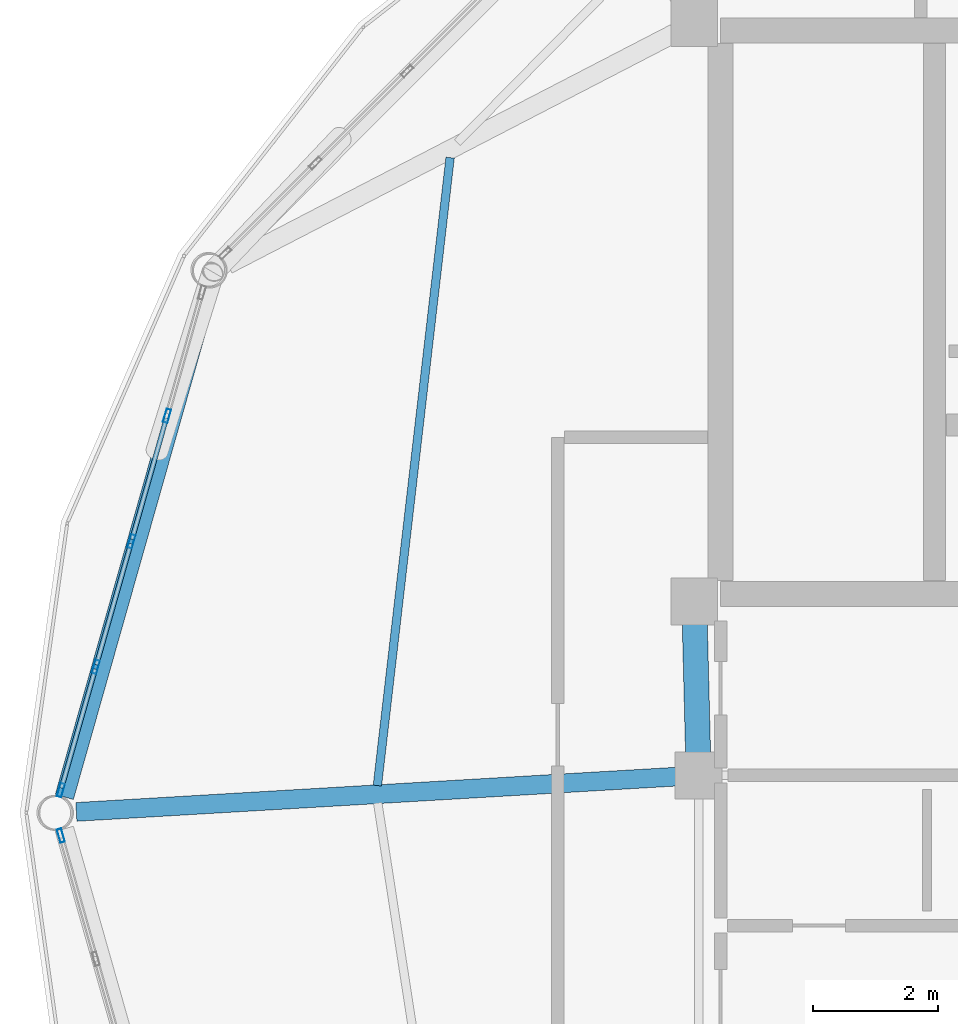
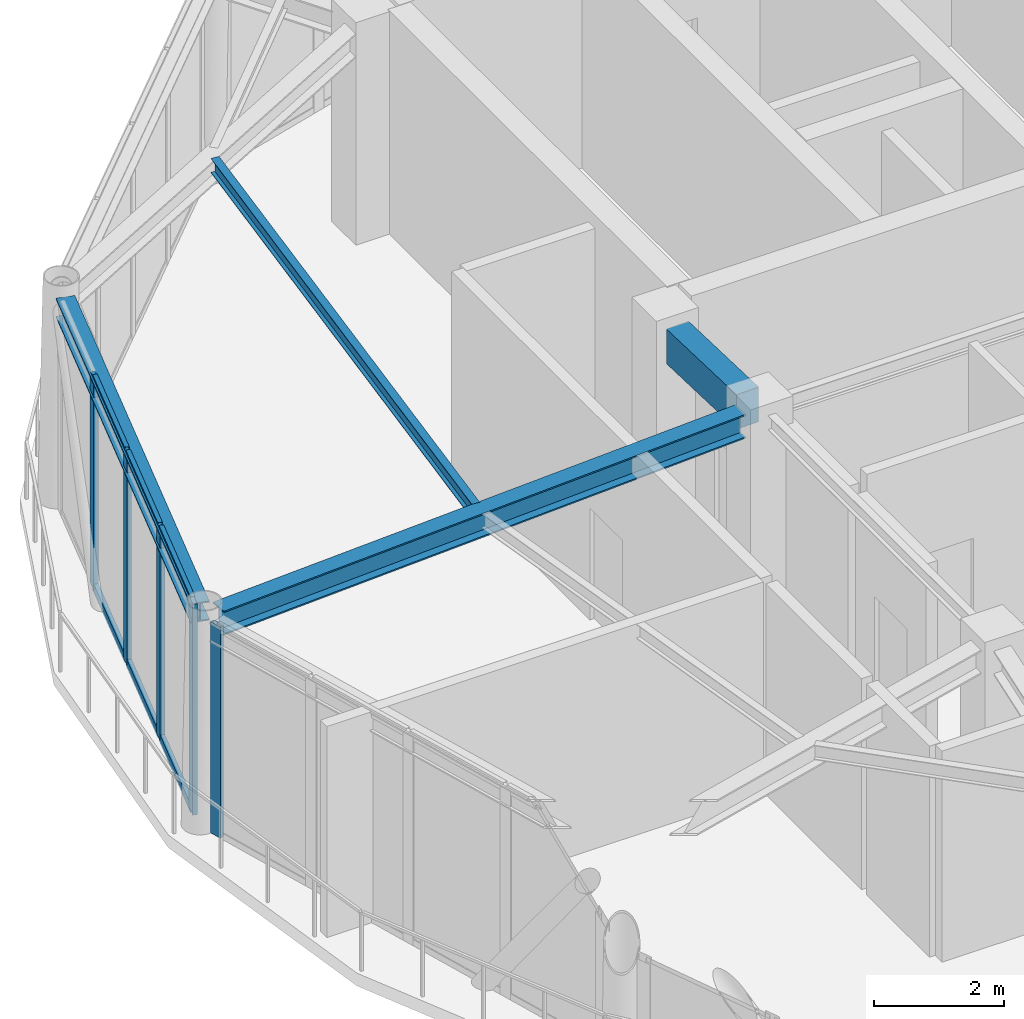
# One storey, part 7 of 20: 11 members, 4 beams, 2 elements without a shape of their own.
"""IFC4 building model written with IfcOpenShell, lengths in metres."""

from ifc_helpers import new_model, si_unit, direction, frame, origin, origin_2d, place, context, subcontext, project, spatial, rectangle, hollow_rectangle, i_section, extrude, material, layer, layer_set, material_profile, profile_set, type_object, element, aggregate, save


model = new_model("IFC4")

# Units and contexts
model_context = context("Model", 3, precision=1e-05, world=origin(), true_north=direction((0.0, 1.0)))
body_context = subcontext(model_context, "Body", "Model", "MODEL_VIEW")
ifc_project = project(units=[si_unit("LENGTHUNIT", "METRE"), si_unit("AREAUNIT", "SQUARE_METRE"), si_unit("VOLUMEUNIT", "CUBIC_METRE"), si_unit("PLANEANGLEUNIT", "RADIAN"), si_unit("MASSUNIT", "GRAM", prefix="KILO")], contexts=[model_context])

# Site, building, storey
site_placement = place(None, origin())
site = spatial("IfcSite", under=ifc_project, at=site_placement, CompositionType="ELEMENT")
building_placement = place(site_placement, origin())
building = spatial("IfcBuilding", under=site, at=building_placement, Name="Varnakorn Sky Granary", CompositionType="ELEMENT")
storey_placement = place(building_placement, frame((0.0, 0.0, 302.39990234375)))
storey = spatial("IfcBuildingStorey", under=building, at=storey_placement, Name="L77", CompositionType="ELEMENT", Elevation=302.39990234375)

# Beams
ifc_material_1 = material(Name="Concrete C50/60", Category="concrete")
ifc_material_profile_1 = material_profile(ifc_material_1, rectangle(XDim=0.39990234375, YDim=0.64990234375, at=origin_2d()), Name="RC 400x650")
ifc_profile_set_1 = profile_set([ifc_material_profile_1], Name="Concrete C50/60")
beam_type_1 = type_object("IfcBeamType", Name="BM-LIN-650", PredefinedType="LINTEL", material=ifc_profile_set_1)
beam_1_placement = place(storey_placement, frame((-2.4111328125, 3.025146484375, 3.635009765625), z_axis=(0.025227817192, -0.999681727971, 0.0), x_axis=(0.999681727971, 0.025227817192, 0.0)))
element("IfcBeam", 1, at=beam_1_placement, inside=storey, type_object=beam_type_1, Name="Core Spine Framing Beam 1 L77", PredefinedType="LINTEL", context=body_context, shape_type="SweptSolid", body=[
    extrude(rectangle(XDim=0.39990234375, YDim=0.64990234375, at=origin_2d()), origin(), (0.0, 0.0, 1.0), 2.071044921875),
])
ifc_material_2 = material(Name="Steel S355JR", Category="steel")
ifc_material_profile_2 = material_profile(ifc_material_2, i_section(OverallWidth=0.300048828125, OverallDepth=0.449951171875, WebThickness=0.013916015625, FlangeThickness=0.02587890625, at=origin_2d()), Name="HE 450 B")
ifc_profile_set_2 = profile_set([ifc_material_profile_2], Name="Steel S355JR")
beam_type_2 = type_object("IfcBeamType", Name="BM-RAD-Z5", PredefinedType="BEAM", material=ifc_profile_set_2)
beam_2_placement = place(storey_placement, frame((-2.704345703125, 0.5791015625, 3.735107421875), z_axis=(-0.998276300869, -0.058689241979, 0.0), x_axis=(0.058689241979, -0.998276300869, 0.0)))
element("IfcBeam", 2, at=beam_2_placement, inside=storey, type_object=beam_type_2, Name="Radial Floor Girder RG07 L77", PredefinedType="BEAM", context=body_context, shape_type="SweptSolid", body=[
    extrude(i_section(OverallWidth=0.300048828125, OverallDepth=0.449951171875, WebThickness=0.013916015625, FlangeThickness=0.02587890625, at=origin_2d()), origin(), (0.0, 0.0, 1.0), 9.605224609375),
])
ifc_material_profile_3 = material_profile(ifc_material_2, i_section(OverallWidth=0.135009765625, OverallDepth=0.27001953125, WebThickness=0.006591796875, FlangeThickness=0.01025390625, at=origin_2d()), Name="IPE 270")
ifc_profile_set_3 = profile_set([ifc_material_profile_3], Name="Steel S355JR")
beam_type_3 = type_object("IfcBeamType", Name="BM-SEC-Z5", PredefinedType="BEAM", material=ifc_profile_set_3)
beam_3_placement = place(storey_placement, frame((-6.3203125, 10.469970703125, 3.8251953125), z_axis=(-0.115075465892, -0.993356752204, 0.0), x_axis=(0.993356752204, -0.115075465892, 0.0)))
element("IfcBeam", 3, at=beam_3_placement, inside=storey, type_object=beam_type_3, Name="Secondary Floor Chord Beam MSB06 L77", PredefinedType="BEAM", context=body_context, shape_type="SweptSolid", body=[
    extrude(i_section(OverallWidth=0.135009765625, OverallDepth=0.27001953125, WebThickness=0.006591796875, FlangeThickness=0.01025390625, at=origin_2d()), origin(), (0.0, 0.0, 1.0), 10.100830078125),
])
ifc_material_profile_4 = material_profile(ifc_material_2, i_section(OverallWidth=0.300048828125, OverallDepth=0.360107421875, WebThickness=0.012451171875, FlangeThickness=0.0224609375, at=origin_2d()), Name="HE 360 B")
ifc_profile_set_4 = profile_set([ifc_material_profile_4], Name="Steel S355JR")
beam_type_4 = type_object("IfcBeamType", Name="BM-SPD-Z5", PredefinedType="SPANDREL", material=ifc_profile_set_4)
beam_4_placement = place(storey_placement, frame((-10.18017578125, 8.385009765625, 3.780029296875), z_axis=(-0.272713551322, -0.962095275389, 0.0), x_axis=(0.962095275389, -0.272713551322, 0.0)))
element("IfcBeam", 4, at=beam_4_placement, inside=storey, type_object=beam_type_4, Name="Perimeter Spandrel Ring Beam RB06 L77", PredefinedType="SPANDREL", context=body_context, shape_type="SweptSolid", body=[
    extrude(i_section(OverallWidth=0.300048828125, OverallDepth=0.360107421875, WebThickness=0.012451171875, FlangeThickness=0.0224609375, at=origin_2d()), origin(), (0.0, 0.0, 1.0), 8.450927734375),
])

# Curtain wall, members
ifc_material_3 = material(Name="Anodised Bronze Aluminium Alloy 6063-T6", Category="aluminium")
ifc_layer = layer(ifc_material_3, 0.22998046875, Name="Anodised Bronze Aluminium Alloy 6063-T6")
ifc_layer_set = layer_set([ifc_layer], Name="Anodised Bronze Aluminium Alloy 6063-T6")
curtain_wall_type = type_object("IfcCurtainWallType", Name="CW-LNT-1", PredefinedType="USERDEFINED", material=ifc_layer_set)
curtain_wall_1_placement = place(storey_placement, origin())
curtain_wall_1 = element("IfcCurtainWall", 5, at=curtain_wall_1_placement, inside=storey, type_object=curtain_wall_type, Name="Unitised Curtain Wall CW7 CW-L77-B06", ObjectType="CURTAIN WALL", PredefinedType="USERDEFINED")
ifc_material_profile_5 = material_profile(ifc_material_3, hollow_rectangle(XDim=0.074951171875, YDim=0.219970703125, WallThickness=0.00390625, at=origin_2d()), Name="ALU MULL 75x220")
ifc_profile_set_5 = profile_set([ifc_material_profile_5], Name="Anodised Bronze Aluminium Alloy 6063-T6")
member_type_1 = type_object("IfcMemberType", Name="CW-LNT-1-MULL", PredefinedType="MULLION", material=ifc_profile_set_5)
member_1_placement = place(storey_placement, frame((-12.540283203125, 0.36279296875, 0.0), z_axis=(0.0, 0.0, 1.0), x_axis=(-0.962053878188, 0.272859552634, 0.0)))
member_1 = element("IfcMember", 6, at=member_1_placement, type_object=member_type_1, Name="CW7 mullion 1", PredefinedType="MULLION", context=body_context, shape_type="SweptSolid", body=[
    extrude(hollow_rectangle(XDim=0.074951171875, YDim=0.219970703125, WallThickness=0.00390625, at=origin_2d()), origin(), (0.0, 0.0, 1.0), 3.960205078125),
])
member_2_placement = place(storey_placement, frame((-11.981689453125, 2.332275390625, 0.0), z_axis=(0.0, 0.0, 1.0), x_axis=(-0.962053878188, 0.272859552634, 0.0)))
member_2 = element("IfcMember", 7, at=member_2_placement, type_object=member_type_1, Name="CW7 mullion 2", PredefinedType="MULLION", context=body_context, shape_type="SweptSolid", body=[
    extrude(hollow_rectangle(XDim=0.074951171875, YDim=0.219970703125, WallThickness=0.00390625, at=origin_2d()), origin(), (0.0, 0.0, 1.0), 3.960205078125),
])
member_3_placement = place(storey_placement, frame((-11.412841796875, 4.337646484375, 0.0), z_axis=(0.0, 0.0, 1.0), x_axis=(-0.962053878188, 0.272859552634, 0.0)))
member_3 = element("IfcMember", 8, at=member_3_placement, type_object=member_type_1, Name="CW7 mullion 3", PredefinedType="MULLION", context=body_context, shape_type="SweptSolid", body=[
    extrude(hollow_rectangle(XDim=0.074951171875, YDim=0.219970703125, WallThickness=0.00390625, at=origin_2d()), origin(), (0.0, 0.0, 1.0), 3.960205078125),
])
member_4_placement = place(storey_placement, frame((-10.843994140625, 6.34326171875, 0.0), z_axis=(0.0, 0.0, 1.0), x_axis=(-0.962053878188, 0.272859552634, 0.0)))
member_4 = element("IfcMember", 9, at=member_4_placement, type_object=member_type_1, Name="CW7 mullion 4", PredefinedType="MULLION", context=body_context, shape_type="SweptSolid", body=[
    extrude(hollow_rectangle(XDim=0.074951171875, YDim=0.219970703125, WallThickness=0.00390625, at=origin_2d()), origin(), (0.0, 0.0, 1.0), 3.960205078125),
])

# Curtain wall, member
curtain_wall_2_placement = place(storey_placement, origin())
curtain_wall_2 = element("IfcCurtainWall", 10, at=curtain_wall_2_placement, inside=storey, type_object=curtain_wall_type, Name="Unitised Curtain Wall CW7 CW-L77-B07", ObjectType="CURTAIN WALL", PredefinedType="USERDEFINED")
member_5_placement = place(storey_placement, frame((-12.540283203125, -0.36279296875, 0.0), z_axis=(0.0, 0.0, 1.0), x_axis=(-0.962053878188, -0.272859552634, 0.0)))
member_5 = element("IfcMember", 11, at=member_5_placement, type_object=member_type_1, Name="CW7 mullion 5", PredefinedType="MULLION", context=body_context, shape_type="SweptSolid", body=[
    extrude(hollow_rectangle(XDim=0.074951171875, YDim=0.219970703125, WallThickness=0.00390625, at=origin_2d()), origin(), (0.0, 0.0, 1.0), 3.960205078125),
])
aggregate(curtain_wall_2, [member_5])

# Member
ifc_material_profile_6 = material_profile(ifc_material_3, hollow_rectangle(XDim=0.074951171875, YDim=0.159912109375, WallThickness=0.00390625, at=origin_2d()), Name="ALU TRAN 75x160")
ifc_profile_set_6 = profile_set([ifc_material_profile_6], Name="Anodised Bronze Aluminium Alloy 6063-T6")
member_type_2 = type_object("IfcMemberType", Name="CW-LNT-1-TRAN", PredefinedType="USERDEFINED", material=ifc_profile_set_6)
member_6_placement = place(storey_placement, frame((-12.530029296875, 0.398681640625, 0.03759765625), z_axis=(0.272938666606, 0.962031436218, 0.0), x_axis=(-0.962031436218, 0.272938666606, 0.0)))
member_6 = element("IfcMember", 12, at=member_6_placement, type_object=member_type_2, Name="CW7 transom 1.1", ObjectType="TRANSOM", PredefinedType="USERDEFINED", context=body_context, shape_type="SweptSolid", body=[
    extrude(hollow_rectangle(XDim=0.074951171875, YDim=0.159912109375, WallThickness=0.00390625, at=origin_2d()), origin(), (0.0, 0.0, 1.0), 1.972412109375),
])

member_7_placement = place(storey_placement, frame((-12.530029296875, 0.398681640625, 3.922607421875), z_axis=(0.272938666606, 0.962031436218, 0.0), x_axis=(-0.962031436218, 0.272938666606, 0.0)))
member_7 = element("IfcMember", 13, at=member_7_placement, type_object=member_type_2, Name="CW7 transom 1.2", ObjectType="TRANSOM", PredefinedType="USERDEFINED", context=body_context, shape_type="SweptSolid", body=[
    extrude(hollow_rectangle(XDim=0.074951171875, YDim=0.159912109375, WallThickness=0.00390625, at=origin_2d()), origin(), (0.0, 0.0, 1.0), 1.972412109375),
])

member_8_placement = place(storey_placement, frame((-11.971435546875, 2.3681640625, 0.03759765625), z_axis=(0.272827456423, 0.962062980798, 0.0), x_axis=(-0.962062980798, 0.272827456423, 0.0)))
member_8 = element("IfcMember", 14, at=member_8_placement, type_object=member_type_2, Name="CW7 transom 2.1", ObjectType="TRANSOM", PredefinedType="USERDEFINED", context=body_context, shape_type="SweptSolid", body=[
    extrude(hollow_rectangle(XDim=0.074951171875, YDim=0.159912109375, WallThickness=0.00390625, at=origin_2d()), origin(), (0.0, 0.0, 1.0), 2.009765625),
])

member_9_placement = place(storey_placement, frame((-11.971435546875, 2.3681640625, 3.922607421875), z_axis=(0.272827456423, 0.962062980798, 0.0), x_axis=(-0.962062980798, 0.272827456423, 0.0)))
member_9 = element("IfcMember", 15, at=member_9_placement, type_object=member_type_2, Name="CW7 transom 2.2", ObjectType="TRANSOM", PredefinedType="USERDEFINED", context=body_context, shape_type="SweptSolid", body=[
    extrude(hollow_rectangle(XDim=0.074951171875, YDim=0.159912109375, WallThickness=0.00390625, at=origin_2d()), origin(), (0.0, 0.0, 1.0), 2.009765625),
])

member_10_placement = place(storey_placement, frame((-11.402587890625, 4.373779296875, 0.03759765625), z_axis=(0.272859343787, 0.962053937421, 0.0), x_axis=(-0.962053937421, 0.272859343787, 0.0)))
member_10 = element("IfcMember", 16, at=member_10_placement, type_object=member_type_2, Name="CW7 transom 3.1", ObjectType="TRANSOM", PredefinedType="USERDEFINED", context=body_context, shape_type="SweptSolid", body=[
    extrude(hollow_rectangle(XDim=0.074951171875, YDim=0.159912109375, WallThickness=0.00390625, at=origin_2d()), origin(), (0.0, 0.0, 1.0), 2.009521484375),
])

member_11_placement = place(storey_placement, frame((-11.402587890625, 4.373779296875, 3.922607421875), z_axis=(0.272859343787, 0.962053937421, 0.0), x_axis=(-0.962053937421, 0.272859343787, 0.0)))
member_11 = element("IfcMember", 17, at=member_11_placement, type_object=member_type_2, Name="CW7 transom 3.2", ObjectType="TRANSOM", PredefinedType="USERDEFINED", context=body_context, shape_type="SweptSolid", body=[
    extrude(hollow_rectangle(XDim=0.074951171875, YDim=0.159912109375, WallThickness=0.00390625, at=origin_2d()), origin(), (0.0, 0.0, 1.0), 2.009521484375),
])

aggregate(curtain_wall_1, [member_1, member_2, member_3, member_4, member_6, member_7, member_8, member_9, member_10, member_11])

save(model, "model.ifc")
